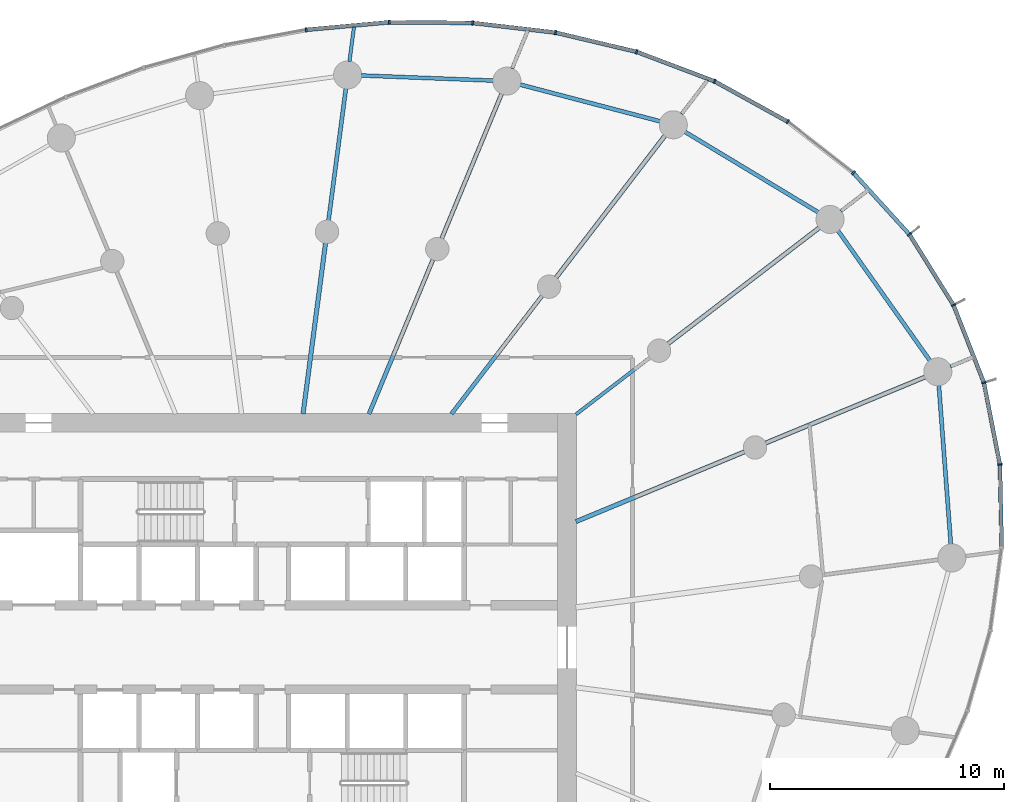
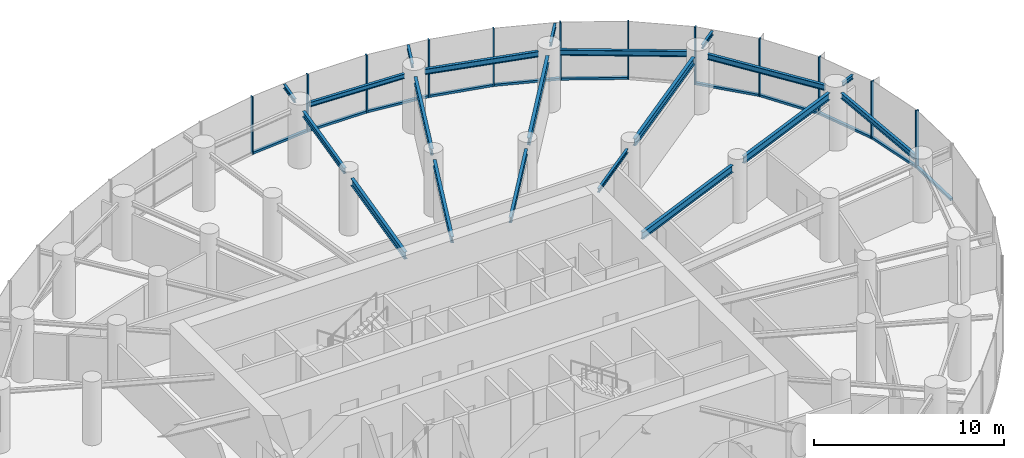
# One storey, part 7 of 17: 23 members, 20 beams, 3 elements without a shape of their own.
"""IFC4 building model written with IfcOpenShell, lengths in metres."""

from ifc_helpers import new_model, si_unit, direction, frame, origin, origin_2d, place, context, subcontext, project, spatial, rectangle, i_section, extrude, source, transform, mapped, material, layer, layer_set, material_profile, profile_set, type_object, element, aggregate, save


model = new_model("IFC4")

# Units and contexts
model_context = context("Model", 3, precision=1e-05, world=origin(), true_north=direction((0.0, 1.0)))
body_context = subcontext(model_context, "Body", "Model", "MODEL_VIEW")
ifc_project = project(units=[si_unit("LENGTHUNIT", "METRE"), si_unit("AREAUNIT", "SQUARE_METRE"), si_unit("VOLUMEUNIT", "CUBIC_METRE"), si_unit("PLANEANGLEUNIT", "RADIAN"), si_unit("MASSUNIT", "GRAM", prefix="KILO")], contexts=[model_context])

# Site, building, storey
site_placement = place(None, origin())
site = spatial("IfcSite", under=ifc_project, at=site_placement, CompositionType="ELEMENT")
building_placement = place(site_placement, origin())
building = spatial("IfcBuilding", under=site, at=building_placement, Name="Spindrift Exchange Tower", CompositionType="ELEMENT")
storey_placement = place(building_placement, frame((0.0, 0.0, 108.5)))
storey = spatial("IfcBuildingStorey", under=building, at=storey_placement, Name="L25", CompositionType="ELEMENT", Elevation=108.5)

# Beams
ifc_material_1 = material(Name="Steel Grade 300", Category="steel")
ifc_material_profile_1 = material_profile(ifc_material_1, i_section(OverallWidth=0.18994140625, OverallDepth=0.45703125, WebThickness=0.009033203125, FlangeThickness=0.014404296875, FilletRadius=0.013916015625, at=origin_2d()), Name="460UB74.6")
ifc_profile_set_1 = profile_set([ifc_material_profile_1], Name="Steel Grade 300")
beam_type_1 = type_object("IfcBeamType", Name="Floor Beam 460UB74.6 Steel Grade 300", PredefinedType="BEAM", material=ifc_profile_set_1)
shared_shape_1 = source(origin(), body_context, "Body", "SweptSolid", [
    extrude(i_section(OverallWidth=0.18994140625, OverallDepth=0.45703125, WebThickness=0.009033203125, FlangeThickness=0.014404296875, FilletRadius=0.013916015625, at=origin_2d()), origin(), (0.0, 0.0, 1.0), 7.808837890625),
])
beam_1_placement = place(storey_placement, frame((64.9814453125, 53.377197265625, 3.471435546875), z_axis=(0.92387965154, 0.382683145003, 0.0), x_axis=(-0.382683145003, 0.92387965154, 0.0)))
element("IfcBeam", 1, at=beam_1_placement, inside=storey, type_object=beam_type_1, Name="L25 radial beam R02A", PredefinedType="BEAM", context=body_context, shape_type="MappedRepresentation", body=[
    mapped(shared_shape_1, transform((0.0, 0.0, 0.0), scale=1.0)),
])
ifc_material_profile_2 = material_profile(ifc_material_1, i_section(OverallWidth=0.14599609375, OverallDepth=0.251953125, WebThickness=0.006103515625, FlangeThickness=0.008544921875, FilletRadius=0.011962890625, at=origin_2d()), Name="250UB31.4")
ifc_profile_set_2 = profile_set([ifc_material_profile_2], Name="Steel Grade 300")
beam_type_2 = type_object("IfcBeamType", Name="Floor Beam 250UB31.4 Steel Grade 300", PredefinedType="BEAM", material=ifc_profile_set_2)
shared_shape_2 = source(origin(), body_context, "Body", "SweptSolid", [
    extrude(i_section(OverallWidth=0.14599609375, OverallDepth=0.251953125, WebThickness=0.006103515625, FlangeThickness=0.008544921875, FilletRadius=0.011962890625, at=origin_2d()), origin(), (0.0, 0.0, 1.0), 3.99560546875),
])
beam_2_placement = place(storey_placement, frame((64.984130859375, 57.963134765625, 3.573974609375), z_axis=(0.793352561574, 0.608762443851, 0.0), x_axis=(-0.608762443851, 0.793352561574, 0.0)))
element("IfcBeam", 2, at=beam_2_placement, inside=storey, type_object=beam_type_2, Name="L25 radial beam R03A", PredefinedType="BEAM", context=body_context, shape_type="MappedRepresentation", body=[
    mapped(shared_shape_2, transform((0.0, 0.0, 0.0), scale=1.0)),
])
ifc_material_profile_3 = material_profile(ifc_material_1, i_section(OverallWidth=0.172119140625, OverallDepth=0.35888671875, WebThickness=0.008056640625, FlangeThickness=0.012939453125, FilletRadius=0.013916015625, at=origin_2d()), Name="360UB56.7")
ifc_profile_set_3 = profile_set([ifc_material_profile_3], Name="Steel Grade 300")
beam_type_3 = type_object("IfcBeamType", Name="Floor Beam 360UB56.7 Steel Grade 300", PredefinedType="BEAM", material=ifc_profile_set_3)
shared_shape_3 = source(origin(), body_context, "Body", "SweptSolid", [
    extrude(i_section(OverallWidth=0.172119140625, OverallDepth=0.35888671875, WebThickness=0.008056640625, FlangeThickness=0.012939453125, FilletRadius=0.013916015625, at=origin_2d()), origin(), (0.0, 0.0, 1.0), 6.37646484375),
])
beam_3_placement = place(storey_placement, frame((59.6611328125, 57.984130859375, 3.5205078125), z_axis=(0.608766669952, 0.793349318747, 0.0), x_axis=(-0.793349318747, 0.608766669952, 0.0)))
element("IfcBeam", 3, at=beam_3_placement, inside=storey, type_object=beam_type_3, Name="L25 radial beam R04A", PredefinedType="BEAM", context=body_context, shape_type="MappedRepresentation", body=[
    mapped(shared_shape_3, transform((0.0, 0.0, 0.0), scale=1.0)),
])
ifc_material_profile_4 = material_profile(ifc_material_1, i_section(OverallWidth=0.177978515625, OverallDepth=0.406005859375, WebThickness=0.0078125, FlangeThickness=0.0126953125, FilletRadius=0.013916015625, at=origin_2d()), Name="410UB59.7")
ifc_profile_set_4 = profile_set([ifc_material_profile_4], Name="Steel Grade 300")
beam_type_4 = type_object("IfcBeamType", Name="Floor Beam 410UB59.7 Steel Grade 300", PredefinedType="BEAM", material=ifc_profile_set_4)
shared_shape_4 = source(origin(), body_context, "Body", "SweptSolid", [
    extrude(i_section(OverallWidth=0.177978515625, OverallDepth=0.406005859375, WebThickness=0.0078125, FlangeThickness=0.0126953125, FilletRadius=0.013916015625, at=origin_2d()), origin(), (0.0, 0.0, 1.0), 7.150634765625),
])
beam_4_placement = place(storey_placement, frame((56.134521484375, 57.9814453125, 3.4970703125), z_axis=(0.382665393358, 0.923887004306, 0.0), x_axis=(-0.923887004306, 0.382665393358, 0.0)))
element("IfcBeam", 4, at=beam_4_placement, inside=storey, type_object=beam_type_4, Name="L25 radial beam R05A", PredefinedType="BEAM", context=body_context, shape_type="MappedRepresentation", body=[
    mapped(shared_shape_4, transform((0.0, 0.0, 0.0), scale=1.0)),
])
shared_shape_5 = source(origin(), body_context, "Body", "SweptSolid", [
    extrude(i_section(OverallWidth=0.18994140625, OverallDepth=0.45703125, WebThickness=0.009033203125, FlangeThickness=0.014404296875, FilletRadius=0.013916015625, at=origin_2d()), origin(), (0.0, 0.0, 1.0), 7.374267578125),
])
beam_5_placement = place(storey_placement, frame((53.31396484375, 57.980224609375, 3.471435546875), z_axis=(0.130539295622, 0.99144313619, 0.0), x_axis=(-0.99144313619, 0.130539295622, 0.0)))
element("IfcBeam", 5, at=beam_5_placement, inside=storey, type_object=beam_type_1, Name="L25 radial beam R06A", PredefinedType="BEAM", context=body_context, shape_type="MappedRepresentation", body=[
    mapped(shared_shape_5, transform((0.0, 0.0, 0.0), scale=1.0)),
])
shared_shape_6 = source(origin(), body_context, "Body", "SweptSolid", [
    extrude(i_section(OverallWidth=0.18994140625, OverallDepth=0.45703125, WebThickness=0.009033203125, FlangeThickness=0.014404296875, FilletRadius=0.013916015625, at=origin_2d()), origin(), (0.0, 0.0, 1.0), 7.400146484375),
])
beam_6_placement = place(storey_placement, frame((73.082763671875, 56.73291015625, 3.471435546875), z_axis=(0.923886957755, 0.382665505749, 0.0), x_axis=(-0.382665505749, 0.923886957755, 0.0)))
element("IfcBeam", 6, at=beam_6_placement, inside=storey, type_object=beam_type_1, Name="L25 radial beam R02B", PredefinedType="BEAM", context=body_context, shape_type="MappedRepresentation", body=[
    mapped(shared_shape_6, transform((0.0, 0.0, 0.0), scale=1.0)),
])
shared_shape_7 = source(origin(), body_context, "Body", "SweptSolid", [
    extrude(i_section(OverallWidth=0.18994140625, OverallDepth=0.45703125, WebThickness=0.009033203125, FlangeThickness=0.014404296875, FilletRadius=0.013916015625, at=origin_2d()), origin(), (0.0, 0.0, 1.0), 8.158447265625),
])
beam_7_placement = place(storey_placement, frame((68.91552734375, 60.979736328125, 3.471435546875), z_axis=(0.793358732539, 0.608754401631, 0.0), x_axis=(-0.608754401631, 0.793358732539, 0.0)))
element("IfcBeam", 7, at=beam_7_placement, inside=storey, type_object=beam_type_1, Name="L25 radial beam R03B", PredefinedType="BEAM", context=body_context, shape_type="MappedRepresentation", body=[
    mapped(shared_shape_7, transform((0.0, 0.0, 0.0), scale=1.0)),
])
shared_shape_8 = source(origin(), body_context, "Body", "SweptSolid", [
    extrude(i_section(OverallWidth=0.18994140625, OverallDepth=0.45703125, WebThickness=0.009033203125, FlangeThickness=0.014404296875, FilletRadius=0.013916015625, at=origin_2d()), origin(), (0.0, 0.0, 1.0), 7.663818359375),
])
beam_8_placement = place(storey_placement, frame((64.127197265625, 63.8046875, 3.471435546875), z_axis=(0.608771227503, 0.793345821546, 0.0), x_axis=(-0.793345821546, 0.608771227503, 0.0)))
element("IfcBeam", 8, at=beam_8_placement, inside=storey, type_object=beam_type_1, Name="L25 radial beam R04B", PredefinedType="BEAM", context=body_context, shape_type="MappedRepresentation", body=[
    mapped(shared_shape_8, transform((0.0, 0.0, 0.0), scale=1.0)),
])
shared_shape_9 = source(origin(), body_context, "Body", "SweptSolid", [
    extrude(i_section(OverallWidth=0.177978515625, OverallDepth=0.406005859375, WebThickness=0.0078125, FlangeThickness=0.0126953125, FilletRadius=0.013916015625, at=origin_2d()), origin(), (0.0, 0.0, 1.0), 6.71240234375),
])
beam_9_placement = place(storey_placement, frame((59.23828125, 65.474853515625, 3.4970703125), z_axis=(0.382669812754, 0.923885173821, 0.0), x_axis=(-0.923885173821, 0.382669812754, 0.0)))
element("IfcBeam", 9, at=beam_9_placement, inside=storey, type_object=beam_type_4, Name="L25 radial beam R05B", PredefinedType="BEAM", context=body_context, shape_type="MappedRepresentation", body=[
    mapped(shared_shape_9, transform((0.0, 0.0, 0.0), scale=1.0)),
])
shared_shape_10 = source(origin(), body_context, "Body", "SweptSolid", [
    extrude(i_section(OverallWidth=0.172119140625, OverallDepth=0.35888671875, WebThickness=0.008056640625, FlangeThickness=0.012939453125, FilletRadius=0.013916015625, at=origin_2d()), origin(), (0.0, 0.0, 1.0), 5.70751953125),
])
beam_10_placement = place(storey_placement, frame((54.40185546875, 66.2431640625, 3.5205078125), z_axis=(0.130507624881, 0.991447305634, 0.0), x_axis=(-0.991447305634, 0.130507624881, 0.0)))
element("IfcBeam", 10, at=beam_10_placement, inside=storey, type_object=beam_type_3, Name="L25 radial beam R06B", PredefinedType="BEAM", context=body_context, shape_type="MappedRepresentation", body=[
    mapped(shared_shape_10, transform((0.0, 0.0, 0.0), scale=1.0)),
])
ifc_material_profile_5 = material_profile(ifc_material_1, i_section(OverallWidth=0.172119140625, OverallDepth=0.35888671875, WebThickness=0.008056640625, FlangeThickness=0.012939453125, FilletRadius=0.013916015625, at=origin_2d()), Name="360UB56.7")
ifc_profile_set_5 = profile_set([ifc_material_profile_5], Name="Steel Grade 300")
beam_type_5 = type_object("IfcBeamType", Name="Edge Beam 360UB56.7 Steel Grade 300", PredefinedType="SPANDREL", material=ifc_profile_set_5)
shared_shape_11 = source(origin(), body_context, "Body", "SweptSolid", [
    extrude(i_section(OverallWidth=0.172119140625, OverallDepth=0.35888671875, WebThickness=0.008056640625, FlangeThickness=0.012939453125, FilletRadius=0.013916015625, at=origin_2d()), origin(), (0.0, 0.0, 1.0), 6.82373046875),
])
beam_11_placement = place(storey_placement, frame((81.0126953125, 52.40380859375, 3.5205078125), z_axis=(-0.075276463877, 0.997162701863, 0.0), x_axis=(-0.997162701863, -0.075276463877, 0.0)))
element("IfcBeam", 11, at=beam_11_placement, inside=storey, type_object=beam_type_5, Name="L25 edge beam E01", PredefinedType="SPANDREL", context=body_context, shape_type="MappedRepresentation", body=[
    mapped(shared_shape_11, transform((0.0, 0.0, 0.0), scale=1.0)),
])
shared_shape_12 = source(origin(), body_context, "Body", "SweptSolid", [
    extrude(i_section(OverallWidth=0.172119140625, OverallDepth=0.35888671875, WebThickness=0.008056640625, FlangeThickness=0.012939453125, FilletRadius=0.013916015625, at=origin_2d()), origin(), (0.0, 0.0, 1.0), 6.81787109375),
])
beam_12_placement = place(storey_placement, frame((80.12060546875, 60.260009765625, 3.5205078125), z_axis=(-0.577526426198, 0.816371990604, 0.0), x_axis=(-0.816371990604, -0.577526426198, 0.0)))
element("IfcBeam", 12, at=beam_12_placement, inside=storey, type_object=beam_type_5, Name="L25 edge beam E02", PredefinedType="SPANDREL", context=body_context, shape_type="MappedRepresentation", body=[
    mapped(shared_shape_12, transform((0.0, 0.0, 0.0), scale=1.0)),
])
shared_shape_13 = source(origin(), body_context, "Body", "SweptSolid", [
    extrude(i_section(OverallWidth=0.172119140625, OverallDepth=0.35888671875, WebThickness=0.008056640625, FlangeThickness=0.012939453125, FilletRadius=0.013916015625, at=origin_2d()), origin(), (0.0, 0.0, 1.0), 6.668701171875),
])
beam_13_placement = place(storey_placement, frame((75.3515625, 66.59912109375, 3.5205078125), z_axis=(-0.856133207479, 0.516755194508, 0.0), x_axis=(-0.516755194508, -0.856133207479, 0.0)))
element("IfcBeam", 13, at=beam_13_placement, inside=storey, type_object=beam_type_5, Name="L25 edge beam E03", PredefinedType="SPANDREL", context=body_context, shape_type="MappedRepresentation", body=[
    mapped(shared_shape_13, transform((0.0, 0.0, 0.0), scale=1.0)),
])
shared_shape_14 = source(origin(), body_context, "Body", "SweptSolid", [
    extrude(i_section(OverallWidth=0.172119140625, OverallDepth=0.35888671875, WebThickness=0.008056640625, FlangeThickness=0.012939453125, FilletRadius=0.013916015625, at=origin_2d()), origin(), (0.0, 0.0, 1.0), 6.197509765625),
])
beam_14_placement = place(storey_placement, frame((68.584716796875, 70.491943359375, 3.5205078125), z_axis=(-0.967254420813, 0.253808757567, 0.0), x_axis=(-0.253808757567, -0.967254420813, 0.0)))
element("IfcBeam", 14, at=beam_14_placement, inside=storey, type_object=beam_type_5, Name="L25 edge beam E04", PredefinedType="SPANDREL", context=body_context, shape_type="MappedRepresentation", body=[
    mapped(shared_shape_14, transform((0.0, 0.0, 0.0), scale=1.0)),
])
ifc_material_profile_6 = material_profile(ifc_material_1, i_section(OverallWidth=0.1650390625, OverallDepth=0.303955078125, WebThickness=0.006103515625, FlangeThickness=0.01025390625, FilletRadius=0.011474609375, at=origin_2d()), Name="310UB40.4")
ifc_profile_set_6 = profile_set([ifc_material_profile_6], Name="Steel Grade 300")
beam_type_6 = type_object("IfcBeamType", Name="Edge Beam 310UB40.4 Steel Grade 300", PredefinedType="SPANDREL", material=ifc_profile_set_6)
shared_shape_15 = source(origin(), body_context, "Body", "SweptSolid", [
    extrude(i_section(OverallWidth=0.1650390625, OverallDepth=0.303955078125, WebThickness=0.006103515625, FlangeThickness=0.01025390625, FilletRadius=0.011474609375, at=origin_2d()), origin(), (0.0, 0.0, 1.0), 5.65185546875),
])
beam_15_placement = place(storey_placement, frame((61.449462890625, 72.234619140625, 3.548095703125), z_axis=(-0.99924397539, 0.038877726865, 0.0), x_axis=(-0.038877726865, -0.99924397539, 0.0)))
element("IfcBeam", 15, at=beam_15_placement, inside=storey, type_object=beam_type_6, Name="L25 edge beam E05", PredefinedType="SPANDREL", context=body_context, shape_type="MappedRepresentation", body=[
    mapped(shared_shape_15, transform((0.0, 0.0, 0.0), scale=1.0)),
])
ifc_material_profile_7 = material_profile(ifc_material_1, i_section(OverallWidth=0.14599609375, OverallDepth=0.251953125, WebThickness=0.006103515625, FlangeThickness=0.008544921875, FilletRadius=0.011962890625, at=origin_2d()), Name="250UB31.4")
ifc_profile_set_7 = profile_set([ifc_material_profile_7], Name="Steel Grade 300")
beam_type_7 = type_object("IfcBeamType", Name="Cantilever Beam 250UB31.4 Steel Grade 300", PredefinedType="BEAM", material=ifc_profile_set_7)
shared_shape_16 = source(origin(), body_context, "Body", "SweptSolid", [
    extrude(i_section(OverallWidth=0.14599609375, OverallDepth=0.251953125, WebThickness=0.006103515625, FlangeThickness=0.008544921875, FilletRadius=0.011962890625, at=origin_2d()), origin(), (0.0, 0.0, 1.0), 0.8896484375),
])
beam_16_placement = place(storey_placement, frame((80.9912109375, 60.008544921875, 3.573974609375), z_axis=(0.923806046663, 0.38286079474, 0.0), x_axis=(-0.38286079474, 0.923806046663, 0.0)))
element("IfcBeam", 16, at=beam_16_placement, inside=storey, type_object=beam_type_7, Name="L25 cantilever beam R02T", PredefinedType="BEAM", context=body_context, shape_type="MappedRepresentation", body=[
    mapped(shared_shape_16, transform((0.0, 0.0, 0.0), scale=1.0)),
])
shared_shape_17 = source(origin(), body_context, "Body", "SweptSolid", [
    extrude(i_section(OverallWidth=0.14599609375, OverallDepth=0.251953125, WebThickness=0.006103515625, FlangeThickness=0.008544921875, FilletRadius=0.011962890625, at=origin_2d()), origin(), (0.0, 0.0, 1.0), 1.416015625),
])
beam_17_placement = place(storey_placement, frame((76.308349609375, 66.652587890625, 3.573974609375), z_axis=(0.793456484075, 0.608626985829, 0.0), x_axis=(-0.608626985829, 0.793456484075, 0.0)))
element("IfcBeam", 17, at=beam_17_placement, inside=storey, type_object=beam_type_7, Name="L25 cantilever beam R03T", PredefinedType="BEAM", context=body_context, shape_type="MappedRepresentation", body=[
    mapped(shared_shape_17, transform((0.0, 0.0, 0.0), scale=1.0)),
])
shared_shape_18 = source(origin(), body_context, "Body", "SweptSolid", [
    extrude(i_section(OverallWidth=0.14599609375, OverallDepth=0.251953125, WebThickness=0.006103515625, FlangeThickness=0.008544921875, FilletRadius=0.011962890625, at=origin_2d()), origin(), (0.0, 0.0, 1.0), 1.8271484375),
])
beam_18_placement = place(storey_placement, frame((69.498779296875, 70.804931640625, 3.573974609375), z_axis=(0.608728828433, 0.793378354529, 0.0), x_axis=(-0.793378354529, 0.608728828433, 0.0)))
element("IfcBeam", 18, at=beam_18_placement, inside=storey, type_object=beam_type_7, Name="L25 cantilever beam R04T", PredefinedType="BEAM", context=body_context, shape_type="MappedRepresentation", body=[
    mapped(shared_shape_18, transform((0.0, 0.0, 0.0), scale=1.0)),
])
shared_shape_19 = source(origin(), body_context, "Body", "SweptSolid", [
    extrude(i_section(OverallWidth=0.14599609375, OverallDepth=0.251953125, WebThickness=0.006103515625, FlangeThickness=0.008544921875, FilletRadius=0.011962890625, at=origin_2d()), origin(), (0.0, 0.0, 1.0), 1.7861328125),
])
beam_19_placement = place(storey_placement, frame((62.2509765625, 72.748046875, 3.573974609375), z_axis=(0.382721994914, 0.923863558438, 0.0), x_axis=(-0.923863558438, 0.382721994914, 0.0)))
element("IfcBeam", 19, at=beam_19_placement, inside=storey, type_object=beam_type_7, Name="L25 cantilever beam R05T", PredefinedType="BEAM", context=body_context, shape_type="MappedRepresentation", body=[
    mapped(shared_shape_19, transform((0.0, 0.0, 0.0), scale=1.0)),
])
shared_shape_20 = source(origin(), body_context, "Body", "SweptSolid", [
    extrude(i_section(OverallWidth=0.14599609375, OverallDepth=0.251953125, WebThickness=0.006103515625, FlangeThickness=0.008544921875, FilletRadius=0.011962890625, at=origin_2d()), origin(), (0.0, 0.0, 1.0), 1.489990234375),
])
beam_20_placement = place(storey_placement, frame((55.298095703125, 73.0517578125, 3.573974609375), z_axis=(0.130585901169, 0.991436998712, 0.0), x_axis=(-0.991436998712, 0.130585901169, 0.0)))
element("IfcBeam", 20, at=beam_20_placement, inside=storey, type_object=beam_type_7, Name="L25 cantilever beam R06T", PredefinedType="BEAM", context=body_context, shape_type="MappedRepresentation", body=[
    mapped(shared_shape_20, transform((0.0, 0.0, 0.0), scale=1.0)),
])

# Curtain wall, members
ifc_material_2 = material(Name="Fritted laminated glass with bronze frame", Category="glass")
ifc_layer = layer(ifc_material_2, 0.18994140625)
ifc_layer_set = layer_set([ifc_layer], Name="ZONE 2 BRONZE FRITTED WALL")
curtain_wall_type = type_object("IfcCurtainWallType", Name="ZONE 2 BRONZE FRITTED WALL", PredefinedType="NOTDEFINED", material=ifc_layer_set)
curtain_wall_1_placement = place(storey_placement, origin())
curtain_wall_1 = element("IfcCurtainWall", 21, at=curtain_wall_1_placement, inside=storey, type_object=curtain_wall_type, Name="L25 Zone 2 Bronze Fritted Wall run 1", PredefinedType="NOTDEFINED")
ifc_material_3 = material(Name="Bronze anodised aluminium", Category="aluminium")
ifc_material_profile_8 = material_profile(ifc_material_3, rectangle(XDim=0.074951171875, YDim=0.18994140625, at=origin_2d()), Name="ZONE 2 BRONZE FRITTED WALL MULLION 75X190")
ifc_profile_set_8 = profile_set([ifc_material_profile_8], Name="Bronze anodised aluminium")
member_type_1 = type_object("IfcMemberType", Name="ZONE 2 BRONZE FRITTED WALL MULLION 75X190", PredefinedType="MULLION", material=ifc_profile_set_8)
shared_shape_21 = source(origin(), body_context, "Body", "SweptSolid", [
    extrude(rectangle(XDim=0.074951171875, YDim=0.18994140625, at=origin_2d()), origin(), (0.0, 0.0, 1.0), 3.699951171875),
])
member_1_placement = place(storey_placement, frame((81.1279296875, 62.63427734375, 0.0), z_axis=(0.0, 0.0, 1.0), x_axis=(-0.448948887755, 0.893557438659, 0.0)))
member_1 = element("IfcMember", 22, at=member_1_placement, type_object=member_type_1, Name="L25 mullion CW-2.1", PredefinedType="MULLION", context=body_context, shape_type="MappedRepresentation", body=[
    mapped(shared_shape_21, transform((0.0, 0.0, 0.0), scale=1.0)),
])
member_2_placement = place(storey_placement, frame((79.2421875, 65.656982421875, 0.0), z_axis=(0.0, 0.0, 1.0), x_axis=(-0.603649413144, 0.797249889314, 0.0)))
member_2 = element("IfcMember", 23, at=member_2_placement, type_object=member_type_1, Name="L25 mullion CW-2.2", PredefinedType="MULLION", context=body_context, shape_type="MappedRepresentation", body=[
    mapped(shared_shape_21, transform((0.0, 0.0, 0.0), scale=1.0)),
])
member_3_placement = place(storey_placement, frame((76.843994140625, 68.292236328125, 0.0), z_axis=(0.0, 0.0, 1.0), x_axis=(-0.73372505754, 0.679446495273, 0.0)))
member_3 = element("IfcMember", 24, at=member_3_placement, type_object=member_type_1, Name="L25 mullion CW-2.3", PredefinedType="MULLION", context=body_context, shape_type="MappedRepresentation", body=[
    mapped(shared_shape_21, transform((0.0, 0.0, 0.0), scale=1.0)),
])
member_4_placement = place(storey_placement, frame((74.031982421875, 70.481689453125, 0.0), z_axis=(0.0, 0.0, 1.0), x_axis=(-0.834806731882, 0.550543114029, 0.0)))
member_4 = element("IfcMember", 25, at=member_4_placement, type_object=member_type_1, Name="L25 mullion CW-2.4", PredefinedType="MULLION", context=body_context, shape_type="MappedRepresentation", body=[
    mapped(shared_shape_21, transform((0.0, 0.0, 0.0), scale=1.0)),
])
member_5_placement = place(storey_placement, frame((70.91162109375, 72.204345703125, 0.0), z_axis=(0.0, 0.0, 1.0), x_axis=(-0.907680674706, 0.419661521665, 0.0)))
member_5 = element("IfcMember", 26, at=member_5_placement, type_object=member_type_1, Name="L25 mullion CW-2.5", PredefinedType="MULLION", context=body_context, shape_type="MappedRepresentation", body=[
    mapped(shared_shape_21, transform((0.0, 0.0, 0.0), scale=1.0)),
])
member_6_placement = place(storey_placement, frame((67.577392578125, 73.466064453125, 0.0), z_axis=(0.0, 0.0, 1.0), x_axis=(-0.956149930334, 0.292877637797, 0.0)))
member_6 = element("IfcMember", 27, at=member_6_placement, type_object=member_type_1, Name="L25 mullion CW-2.6", PredefinedType="MULLION", context=body_context, shape_type="MappedRepresentation", body=[
    mapped(shared_shape_21, transform((0.0, 0.0, 0.0), scale=1.0)),
])

curtain_wall_2_placement = place(storey_placement, origin())
curtain_wall_2 = element("IfcCurtainWall", 28, at=curtain_wall_2_placement, inside=storey, type_object=curtain_wall_type, Name="L25 Zone 2 Bronze Fritted Wall run 2", PredefinedType="NOTDEFINED")
member_7_placement = place(storey_placement, frame((64.10791015625, 74.288330078125, 0.0), z_axis=(0.0, 0.0, 1.0), x_axis=(-0.984867616602, 0.173308331501, 0.0)))
member_7 = element("IfcMember", 29, at=member_7_placement, type_object=member_type_1, Name="L25 mullion CW-2.7", PredefinedType="MULLION", context=body_context, shape_type="MappedRepresentation", body=[
    mapped(shared_shape_21, transform((0.0, 0.0, 0.0), scale=1.0)),
])
member_8_placement = place(storey_placement, frame((60.56591796875, 74.69970703125, 0.0), z_axis=(0.0, 0.0, 1.0), x_axis=(-0.99807823572, 0.061966405271, 0.0)))
member_8 = element("IfcMember", 30, at=member_8_placement, type_object=member_type_1, Name="L25 mullion CW-2.8", PredefinedType="MULLION", context=body_context, shape_type="MappedRepresentation", body=[
    mapped(shared_shape_21, transform((0.0, 0.0, 0.0), scale=1.0)),
])
member_9_placement = place(storey_placement, frame((56.999755859375, 74.729736328125, 0.0), z_axis=(0.0, 0.0, 1.0), x_axis=(-0.999145749976, -0.041325177604, 0.0)))
member_9 = element("IfcMember", 31, at=member_9_placement, type_object=member_type_1, Name="L25 mullion CW-2.9", PredefinedType="MULLION", context=body_context, shape_type="MappedRepresentation", body=[
    mapped(shared_shape_21, transform((0.0, 0.0, 0.0), scale=1.0)),
])
member_10_placement = place(storey_placement, frame((53.4482421875, 74.405517578125, 0.0), z_axis=(0.0, 0.0, 1.0), x_axis=(-0.990519272236, -0.137373837862, 0.0)))
member_10 = element("IfcMember", 32, at=member_10_placement, type_object=member_type_1, Name="L25 mullion CW-2.10", PredefinedType="MULLION", context=body_context, shape_type="MappedRepresentation", body=[
    mapped(shared_shape_21, transform((0.0, 0.0, 0.0), scale=1.0)),
])

curtain_wall_3_placement = place(storey_placement, origin())
curtain_wall_3 = element("IfcCurtainWall", 33, at=curtain_wall_3_placement, inside=storey, type_object=curtain_wall_type, Name="L25 Zone 2 Bronze Fritted Wall run 9", PredefinedType="NOTDEFINED")
member_11_placement = place(storey_placement, frame((83.110107421875, 55.820068359375, 0.0), z_axis=(0.0, 0.0, 1.0), x_axis=(-0.107149898987, 0.994242877343, 0.0)))
member_11 = element("IfcMember", 34, at=member_11_placement, type_object=member_type_1, Name="L25 mullion CW-2.50", PredefinedType="MULLION", context=body_context, shape_type="MappedRepresentation", body=[
    mapped(shared_shape_21, transform((0.0, 0.0, 0.0), scale=1.0)),
])
member_12_placement = place(storey_placement, frame((82.427490234375, 59.317138671875, 0.0), z_axis=(0.0, 0.0, 1.0), x_axis=(-0.279315362604, 0.960199421065, 0.0)))
member_12 = element("IfcMember", 35, at=member_12_placement, type_object=member_type_1, Name="L25 mullion CW-2.51", PredefinedType="MULLION", context=body_context, shape_type="MappedRepresentation", body=[
    mapped(shared_shape_21, transform((0.0, 0.0, 0.0), scale=1.0)),
])

# Member
ifc_material_profile_9 = material_profile(ifc_material_3, rectangle(XDim=0.169921875, YDim=0.139892578125, at=origin_2d()), Name="ZONE 2 BRONZE FRITTED WALL TRANSOM 170X140")
ifc_profile_set_9 = profile_set([ifc_material_profile_9], Name="Bronze anodised aluminium")
member_type_2 = type_object("IfcMemberType", Name="ZONE 2 BRONZE FRITTED WALL TRANSOM 170X140", PredefinedType="USERDEFINED", material=ifc_profile_set_9)
shared_shape_22 = source(origin(), body_context, "Body", "SweptSolid", [
    extrude(rectangle(XDim=0.169921875, YDim=0.139892578125, at=origin_2d()), origin(), (0.0, 0.0, 1.0), 3.4912109375),
])
member_13_placement = place(storey_placement, frame((60.5283203125, 74.7001953125, 0.070068359375), z_axis=(-0.999964787389, 0.008391899747, 0.0), x_axis=(-0.008391899747, -0.999964787389, 0.0)))
member_13 = element("IfcMember", 36, at=member_13_placement, type_object=member_type_2, Name="L25 transom CW-2.8", ObjectType="TRANSOM", PredefinedType="USERDEFINED", context=body_context, shape_type="MappedRepresentation", body=[
    mapped(shared_shape_22, transform((0.0, 0.0, 0.0), scale=1.0)),
])

member_14_placement = place(storey_placement, frame((56.96240234375, 74.726318359375, 0.070068359375), z_axis=(-0.995852985711, -0.090977089699, 0.0), x_axis=(0.090977089699, -0.995852985711, 0.0)))
member_14 = element("IfcMember", 37, at=member_14_placement, type_object=member_type_2, Name="L25 transom CW-2.9", ObjectType="TRANSOM", PredefinedType="USERDEFINED", context=body_context, shape_type="MappedRepresentation", body=[
    mapped(shared_shape_22, transform((0.0, 0.0, 0.0), scale=1.0)),
])

shared_shape_23 = source(origin(), body_context, "Body", "SweptSolid", [
    extrude(rectangle(XDim=0.169921875, YDim=0.139892578125, at=origin_2d()), origin(), (0.0, 0.0, 1.0), 3.48828125),
])
member_15_placement = place(storey_placement, frame((83.10302734375, 55.856689453125, 0.070068359375), z_axis=(-0.191564627011, 0.98148000167, 0.0), x_axis=(-0.98148000167, -0.191564627011, 0.0)))
member_15 = element("IfcMember", 38, at=member_15_placement, type_object=member_type_2, Name="L25 transom CW-2.50", ObjectType="TRANSOM", PredefinedType="USERDEFINED", context=body_context, shape_type="MappedRepresentation", body=[
    mapped(shared_shape_23, transform((0.0, 0.0, 0.0), scale=1.0)),
])

shared_shape_24 = source(origin(), body_context, "Body", "SweptSolid", [
    extrude(rectangle(XDim=0.169921875, YDim=0.139892578125, at=origin_2d()), origin(), (0.0, 0.0, 1.0), 3.487548828125),
])
member_16_placement = place(storey_placement, frame((82.413818359375, 59.35205078125, 0.070068359375), z_axis=(-0.364779393592, 0.931093977003, 0.0), x_axis=(-0.931093977003, -0.364779393592, 0.0)))
member_16 = element("IfcMember", 39, at=member_16_placement, type_object=member_type_2, Name="L25 transom CW-2.51", ObjectType="TRANSOM", PredefinedType="USERDEFINED", context=body_context, shape_type="MappedRepresentation", body=[
    mapped(shared_shape_24, transform((0.0, 0.0, 0.0), scale=1.0)),
])

shared_shape_25 = source(origin(), body_context, "Body", "SweptSolid", [
    extrude(rectangle(XDim=0.169921875, YDim=0.139892578125, at=origin_2d()), origin(), (0.0, 0.0, 1.0), 3.48779296875),
])
member_17_placement = place(storey_placement, frame((81.108154296875, 62.666015625, 0.070068359375), z_axis=(-0.529312959018, 0.848426656474, 0.0), x_axis=(-0.848426656474, -0.529312959018, 0.0)))
member_17 = element("IfcMember", 40, at=member_17_placement, type_object=member_type_2, Name="L25 transom CW-2.1", ObjectType="TRANSOM", PredefinedType="USERDEFINED", context=body_context, shape_type="MappedRepresentation", body=[
    mapped(shared_shape_25, transform((0.0, 0.0, 0.0), scale=1.0)),
])

shared_shape_26 = source(origin(), body_context, "Body", "SweptSolid", [
    extrude(rectangle(XDim=0.169921875, YDim=0.139892578125, at=origin_2d()), origin(), (0.0, 0.0, 1.0), 3.489501953125),
])
member_18_placement = place(storey_placement, frame((73.999267578125, 70.499755859375, 0.070068359375), z_axis=(-0.875451120497, 0.483306668297, 0.0), x_axis=(-0.483306668297, -0.875451120497, 0.0)))
member_18 = element("IfcMember", 41, at=member_18_placement, type_object=member_type_2, Name="L25 transom CW-2.4", ObjectType="TRANSOM", PredefinedType="USERDEFINED", context=body_context, shape_type="MappedRepresentation", body=[
    mapped(shared_shape_26, transform((0.0, 0.0, 0.0), scale=1.0)),
])

shared_shape_27 = source(origin(), body_context, "Body", "SweptSolid", [
    extrude(rectangle(XDim=0.169921875, YDim=0.139892578125, at=origin_2d()), origin(), (0.0, 0.0, 1.0), 3.49072265625),
])
member_19_placement = place(storey_placement, frame((67.540771484375, 73.474609375, 0.070068359375), z_axis=(-0.973032384919, 0.230668545534, 0.0), x_axis=(-0.230668545534, -0.973032384919, 0.0)))
member_19 = element("IfcMember", 42, at=member_19_placement, type_object=member_type_2, Name="L25 transom CW-2.6", ObjectType="TRANSOM", PredefinedType="USERDEFINED", context=body_context, shape_type="MappedRepresentation", body=[
    mapped(shared_shape_27, transform((0.0, 0.0, 0.0), scale=1.0)),
])

shared_shape_28 = source(origin(), body_context, "Body", "SweptSolid", [
    extrude(rectangle(XDim=0.169921875, YDim=0.139892578125, at=origin_2d()), origin(), (0.0, 0.0, 1.0), 3.490966796875),
])
member_20_placement = place(storey_placement, frame((64.070556640625, 74.292724609375, 0.070068359375), z_axis=(-0.993319503759, 0.115396548701, 0.0), x_axis=(-0.115396548701, -0.993319503759, 0.0)))
member_20 = element("IfcMember", 43, at=member_20_placement, type_object=member_type_2, Name="L25 transom CW-2.7", ObjectType="TRANSOM", PredefinedType="USERDEFINED", context=body_context, shape_type="MappedRepresentation", body=[
    mapped(shared_shape_28, transform((0.0, 0.0, 0.0), scale=1.0)),
])

aggregate(curtain_wall_2, [member_7, member_20, member_8, member_13, member_9, member_14, member_10])

shared_shape_29 = source(origin(), body_context, "Body", "SweptSolid", [
    extrude(rectangle(XDim=0.169921875, YDim=0.139892578125, at=origin_2d()), origin(), (0.0, 0.0, 1.0), 3.488525390625),
])
member_21_placement = place(storey_placement, frame((83.1875, 52.294677734375, 0.070068359375), z_axis=(-0.021974253157, 0.999758536947, 0.0), x_axis=(-0.999758536947, -0.021974253157, 0.0)))
member_21 = element("IfcMember", 44, at=member_21_placement, type_object=member_type_2, Name="L25 transom CW-2.49", ObjectType="TRANSOM", PredefinedType="USERDEFINED", context=body_context, shape_type="MappedRepresentation", body=[
    mapped(shared_shape_29, transform((0.0, 0.0, 0.0), scale=1.0)),
])

aggregate(curtain_wall_3, [member_21, member_11, member_15, member_12, member_16])

shared_shape_30 = source(origin(), body_context, "Body", "SweptSolid", [
    extrude(rectangle(XDim=0.169921875, YDim=0.139892578125, at=origin_2d()), origin(), (0.0, 0.0, 1.0), 3.488037109375),
])
member_22_placement = place(storey_placement, frame((79.217041015625, 65.684814453125, 0.070068359375), z_axis=(-0.67311511321, 0.739537723425, 0.0), x_axis=(-0.739537723425, -0.67311511321, 0.0)))
member_22 = element("IfcMember", 45, at=member_22_placement, type_object=member_type_2, Name="L25 transom CW-2.2", ObjectType="TRANSOM", PredefinedType="USERDEFINED", context=body_context, shape_type="MappedRepresentation", body=[
    mapped(shared_shape_30, transform((0.0, 0.0, 0.0), scale=1.0)),
])

shared_shape_31 = source(origin(), body_context, "Body", "SweptSolid", [
    extrude(rectangle(XDim=0.169921875, YDim=0.139892578125, at=origin_2d()), origin(), (0.0, 0.0, 1.0), 3.489990234375),
])
member_23_placement = place(storey_placement, frame((70.87646484375, 72.2177734375, 0.070068359375), z_axis=(-0.935307533023, 0.353835864026, 0.0), x_axis=(-0.353835864026, -0.935307533023, 0.0)))
member_23 = element("IfcMember", 46, at=member_23_placement, type_object=member_type_2, Name="L25 transom CW-2.5", ObjectType="TRANSOM", PredefinedType="USERDEFINED", context=body_context, shape_type="MappedRepresentation", body=[
    mapped(shared_shape_31, transform((0.0, 0.0, 0.0), scale=1.0)),
])

aggregate(curtain_wall_1, [member_1, member_17, member_2, member_22, member_3, member_4, member_18, member_5, member_23, member_6, member_19])

save(model, "model.ifc")
